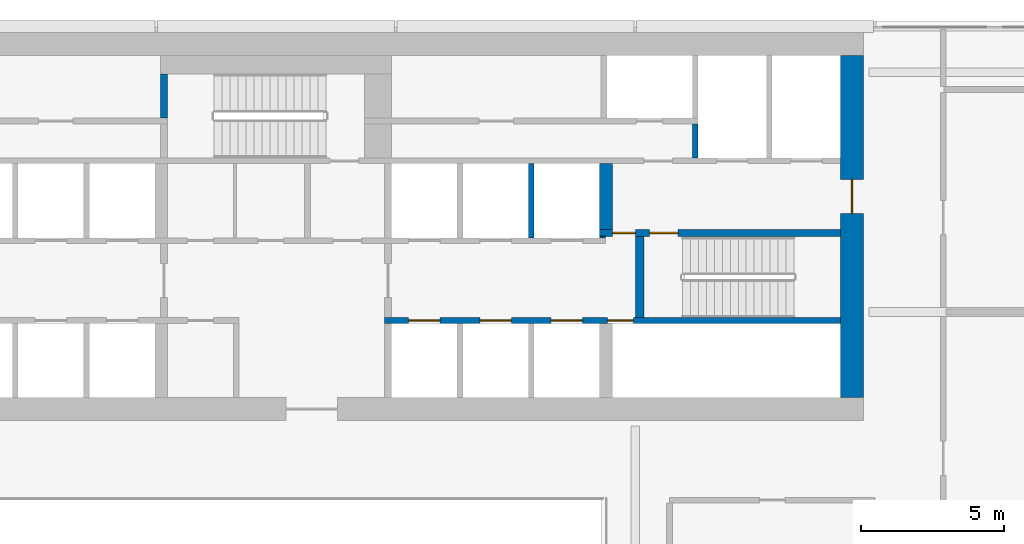
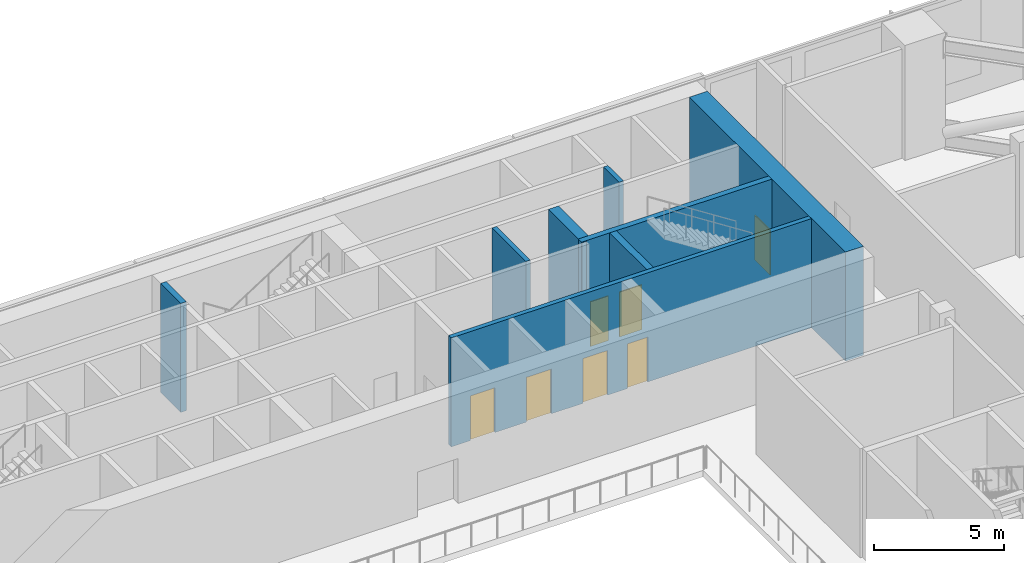
# One storey, part 16 of 29: 9 walls, 7 doors, 7 openings.
"""IFC4 building model written with IfcOpenShell, lengths in metres."""

from ifc_helpers import new_model, si_unit, direction, frame, frame_2d, origin, place, context, subcontext, project, spatial, rectangle, extrude, material, layer, layer_set, type_object, element, fill, save


model = new_model("IFC4")

# Units and contexts
model_context = context("Model", 3, precision=1e-05, world=origin(), true_north=direction((0.0, 1.0)))
body_context = subcontext(model_context, "Body", "Model", "MODEL_VIEW")
ifc_project = project(units=[si_unit("LENGTHUNIT", "METRE"), si_unit("AREAUNIT", "SQUARE_METRE"), si_unit("VOLUMEUNIT", "CUBIC_METRE"), si_unit("PLANEANGLEUNIT", "RADIAN"), si_unit("MASSUNIT", "GRAM", prefix="KILO")], contexts=[model_context])

# Site, building, storey
site_placement = place(None, origin())
site = spatial("IfcSite", under=ifc_project, at=site_placement, CompositionType="ELEMENT")
building_placement = place(site_placement, origin())
building = spatial("IfcBuilding", under=site, at=building_placement, Name="Saffron Gate Tower", CompositionType="ELEMENT")
storey_placement = place(building_placement, frame((0.0, 0.0, 142.050048828125)))
storey = spatial("IfcBuildingStorey", under=building, at=storey_placement, Name="L34", CompositionType="ELEMENT", Elevation=142.050048828125)

# Wall, opening, door
ifc_material_1 = material(Name="Concrete C60", Category="concrete")
ifc_layer_1 = layer(ifc_material_1, 0.800048828125)
ifc_layer_set_1 = layer_set([ifc_layer_1], Name="CW13 RC core wall 800 C60")
wall_type_1 = type_object("IfcWallType", Name="CW13 RC core wall 800 C60", PredefinedType="SOLIDWALL", material=ifc_layer_set_1)
wall_1_placement = place(storey_placement, frame((107.800048828125, 62.39990234375, 0.0), z_axis=(0.0, 0.0, 1.0), x_axis=(0.0, 1.0, 0.0)))
wall_1 = element("IfcWall", 1, at=wall_1_placement, inside=storey, type_object=wall_type_1, Name="Wall CW13-L34-4", PredefinedType="SOLIDWALL", context=body_context, shape_type="SweptSolid", body=[
    extrude(rectangle(XDim=12.0, YDim=0.800048828125, at=frame_2d((6.0, 0.0))), origin(), (0.0, 0.0, 1.0), 5.119873046875),
])
opening_1_placement = place(wall_1_placement, frame((6.449951171875, 0.0, 0.0)))
opening_1 = element("IfcOpeningElement", 2, at=opening_1_placement, cuts=wall_1, Name="Opening CR-08", PredefinedType="OPENING", context=body_context, shape_type="SweptSolid", body=[
    extrude(rectangle(XDim=1.199951171875, YDim=2.10009765625, at=frame_2d((0.60009765625, 1.050048828125))), frame((0.0, 0.41015625, 0.0), z_axis=(0.0, -1.0, 0.0), x_axis=(1.0, 0.0, 0.0)), (0.0, 0.0, 1.0), 0.820068359375),
])
ifc_material_2 = material(Name="Steel fire door set", Category="steel")
door_type_1 = type_object("IfcDoorType", Name="CD7 Core entrance door 1200x2100 EI 120", OperationType="NOTDEFINED", PredefinedType="DOOR", material=ifc_material_2)
door_1_placement = place(opening_1_placement, origin())
door_1 = element("IfcDoor", 3, at=door_1_placement, inside=storey, type_object=door_type_1, Name="DOOR CR-08", OperationType="SINGLE_SWING_RIGHT", OverallHeight=2.10009765625, OverallWidth=1.199951171875, PredefinedType="DOOR", context=body_context, shape_type="SweptSolid", body=[
    extrude(rectangle(XDim=1.199951171875, YDim=2.10009765625, at=frame_2d((0.60009765625, 1.050048828125))), frame((0.0, 0.02490234375, 0.0), z_axis=(0.0, -1.0, 0.0), x_axis=(1.0, 0.0, 0.0)), (0.0, 0.0, 1.0), 0.050048828125),
])
fill(opening_1, door_1)

# Wall, openings, doors
ifc_layer_2 = layer(ifc_material_1, 0.25)
ifc_layer_set_2 = layer_set([ifc_layer_2], Name="CW14 RC core wall 250 C60")
wall_type_2 = type_object("IfcWallType", Name="CW14 RC core wall 250 C60", PredefinedType="SOLIDWALL", material=ifc_layer_set_2)
wall_2_placement = place(storey_placement, frame((98.949951171875, 68.175048828125, 0.0), z_axis=(0.0, 0.0, 1.0), x_axis=(1.0, 0.0, 0.0)))
wall_2 = element("IfcWall", 4, at=wall_2_placement, inside=storey, type_object=wall_type_2, Name="Wall CW14-L34-31", PredefinedType="SOLIDWALL", context=body_context, shape_type="SweptSolid", body=[
    extrude(rectangle(XDim=8.449951171875, YDim=0.25, at=frame_2d((4.22509765625, 0.0))), origin(), (0.0, 0.0, 1.0), 5.119873046875),
])
opening_2_placement = place(wall_2_placement, frame((0.449951171875, 0.0, 0.0)))
opening_2 = element("IfcOpeningElement", 5, at=opening_2_placement, cuts=wall_2, Name="Opening CR-05", PredefinedType="OPENING", context=body_context, shape_type="SweptSolid", body=[
    extrude(rectangle(XDim=0.800048828125, YDim=2.10009765625, at=frame_2d((0.39990234375, 1.050048828125))), frame((0.0, 0.135009765625, 0.0), z_axis=(0.0, -1.0, 0.0), x_axis=(1.0, 0.0, 0.0)), (0.0, 0.0, 1.0), 0.27001953125),
])
opening_3_placement = place(wall_2_placement, frame((1.75, 0.0, 0.0)))
opening_3 = element("IfcOpeningElement", 6, at=opening_3_placement, cuts=wall_2, Name="Opening CR-16", PredefinedType="OPENING", context=body_context, shape_type="SweptSolid", body=[
    extrude(rectangle(XDim=1.0, YDim=2.10009765625, at=frame_2d((0.5, 1.050048828125))), frame((0.0, 0.135009765625, 0.0), z_axis=(0.0, -1.0, 0.0), x_axis=(1.0, 0.0, 0.0)), (0.0, 0.0, 1.0), 0.27001953125),
])
door_type_2 = type_object("IfcDoorType", Name="CD5 Stair door 1000x2100 EI 120", OperationType="NOTDEFINED", PredefinedType="DOOR", material=ifc_material_2)
door_2_placement = place(opening_3_placement, origin())
door_2 = element("IfcDoor", 7, at=door_2_placement, inside=storey, type_object=door_type_2, Name="DOOR CR-16", OperationType="SINGLE_SWING_RIGHT", OverallHeight=2.10009765625, OverallWidth=1.0, PredefinedType="DOOR", context=body_context, shape_type="SweptSolid", body=[
    extrude(rectangle(XDim=1.0, YDim=2.10009765625, at=frame_2d((0.5, 1.050048828125))), frame((0.0, 0.02490234375, 0.0), z_axis=(0.0, -1.0, 0.0), x_axis=(1.0, 0.0, 0.0)), (0.0, 0.0, 1.0), 0.050048828125),
])
fill(opening_3, door_2)
door_type_3 = type_object("IfcDoorType", Name="CD6 Lobby door 800x2100 EI 120", OperationType="NOTDEFINED", PredefinedType="DOOR", material=ifc_material_2)
door_3_placement = place(opening_2_placement, origin())
door_3 = element("IfcDoor", 8, at=door_3_placement, inside=storey, type_object=door_type_3, Name="DOOR CR-05", OperationType="SINGLE_SWING_LEFT", OverallHeight=2.10009765625, OverallWidth=0.800048828125, PredefinedType="DOOR", context=body_context, shape_type="SweptSolid", body=[
    extrude(rectangle(XDim=0.800048828125, YDim=2.10009765625, at=frame_2d((0.39990234375, 1.050048828125))), frame((0.0, 0.02490234375, 0.0), z_axis=(0.0, -1.0, 0.0), x_axis=(1.0, 0.0, 0.0)), (0.0, 0.0, 1.0), 0.050048828125),
])
fill(opening_2, door_3)

# Wall
wall_3_placement = place(storey_placement, frame((83.675048828125, 72.199951171875, 0.0), z_axis=(0.0, 0.0, 1.0), x_axis=(0.0, 1.0, 0.0)))
element("IfcWall", 9, at=wall_3_placement, inside=storey, type_object=wall_type_2, Name="Wall CW14-L34-45", PredefinedType="SOLIDWALL", context=body_context, shape_type="SweptSolid", body=[
    extrude(rectangle(XDim=1.550048828125, YDim=0.25, at=frame_2d((0.77490234375, 0.0))), origin(), (0.0, 0.0, 1.0), 5.119873046875),
])

# Wall, openings, doors
ifc_layer_3 = layer(ifc_material_1, 0.199951171875)
ifc_layer_set_3 = layer_set([ifc_layer_3], Name="CW15 RC core wall 200 C60")
wall_type_3 = type_object("IfcWallType", Name="CW15 RC core wall 200 C60", PredefinedType="SOLIDWALL", material=ifc_layer_set_3)
wall_4_placement = place(storey_placement, frame((91.39990234375, 65.10009765625, 0.0), z_axis=(0.0, 0.0, 1.0), x_axis=(1.0, 0.0, 0.0)))
wall_4 = element("IfcWall", 10, at=wall_4_placement, inside=storey, type_object=wall_type_3, Name="Wall CW15-L34-15", PredefinedType="SOLIDWALL", context=body_context, shape_type="SweptSolid", body=[
    extrude(rectangle(XDim=16.0, YDim=0.199951171875, at=frame_2d((8.0, 0.0))), origin(), (0.0, 0.0, 1.0), 5.119873046875),
])
opening_4_placement = place(wall_4_placement, frame((0.85009765625, 0.0, 0.0)))
opening_4 = element("IfcOpeningElement", 11, at=opening_4_placement, cuts=wall_4, Name="Opening LD-HR1", PredefinedType="OPENING", context=body_context, shape_type="SweptSolid", body=[
    extrude(rectangle(XDim=1.10009765625, YDim=2.10009765625, at=frame_2d((0.550048828125, 1.050048828125))), frame((0.0, 0.10986328125, 0.0), z_axis=(0.0, -1.0, 0.0), x_axis=(1.0, 0.0, 0.0)), (0.0, 0.0, 1.0), 0.219970703125),
])
opening_5_placement = place(wall_4_placement, frame((3.35009765625, 0.0, 0.0)))
opening_5 = element("IfcOpeningElement", 12, at=opening_5_placement, cuts=wall_4, Name="Opening LD-HR2", PredefinedType="OPENING", context=body_context, shape_type="SweptSolid", body=[
    extrude(rectangle(XDim=1.10009765625, YDim=2.10009765625, at=frame_2d((0.550048828125, 1.050048828125))), frame((0.0, 0.10986328125, 0.0), z_axis=(0.0, -1.0, 0.0), x_axis=(1.0, 0.0, 0.0)), (0.0, 0.0, 1.0), 0.219970703125),
])
opening_6_placement = place(wall_4_placement, frame((5.85009765625, 0.0, 0.0)))
opening_6 = element("IfcOpeningElement", 13, at=opening_6_placement, cuts=wall_4, Name="Opening LD-HR3", PredefinedType="OPENING", context=body_context, shape_type="SweptSolid", body=[
    extrude(rectangle(XDim=1.10009765625, YDim=2.10009765625, at=frame_2d((0.550048828125, 1.050048828125))), frame((0.0, 0.10986328125, 0.0), z_axis=(0.0, -1.0, 0.0), x_axis=(1.0, 0.0, 0.0)), (0.0, 0.0, 1.0), 0.219970703125),
])
opening_7_placement = place(wall_4_placement, frame((7.830078125, 0.0, 0.0)))
opening_7 = element("IfcOpeningElement", 14, at=opening_7_placement, cuts=wall_4, Name="Opening CR-48", PredefinedType="OPENING", context=body_context, shape_type="SweptSolid", body=[
    extrude(rectangle(XDim=0.89990234375, YDim=2.10009765625, at=frame_2d((0.449951171875, 1.050048828125))), frame((0.0, 0.10986328125, 0.0), z_axis=(0.0, -1.0, 0.0), x_axis=(1.0, 0.0, 0.0)), (0.0, 0.0, 1.0), 0.219970703125),
])
door_type_4 = type_object("IfcDoorType", Name="CD2 Riser door 900x2100 EI 60", OperationType="NOTDEFINED", PredefinedType="DOOR", material=ifc_material_2)
door_4_placement = place(opening_7_placement, origin())
door_4 = element("IfcDoor", 15, at=door_4_placement, inside=storey, type_object=door_type_4, Name="DOOR CR-48", OperationType="SINGLE_SWING_RIGHT", OverallHeight=2.10009765625, OverallWidth=0.89990234375, PredefinedType="DOOR", context=body_context, shape_type="SweptSolid", body=[
    extrude(rectangle(XDim=0.89990234375, YDim=2.10009765625, at=frame_2d((0.449951171875, 1.050048828125))), frame((0.0, 0.02490234375, 0.0), z_axis=(0.0, -1.0, 0.0), x_axis=(1.0, 0.0, 0.0)), (0.0, 0.0, 1.0), 0.050048828125),
])
fill(opening_7, door_4)
ifc_material_3 = material(Name="Stainless steel landing door", Category="steel")
door_type_5 = type_object("IfcDoorType", Name="LD Lift landing door 1100x2100 EI 120", OperationType="SLIDING_TO_LEFT", PredefinedType="DOOR", material=ifc_material_3)
door_5_placement = place(opening_4_placement, origin())
door_5 = element("IfcDoor", 16, at=door_5_placement, inside=storey, type_object=door_type_5, Name="LANDING DOOR LD-HR1", OperationType="SLIDING_TO_LEFT", OverallHeight=2.10009765625, OverallWidth=1.10009765625, PredefinedType="DOOR", context=body_context, shape_type="SweptSolid", body=[
    extrude(rectangle(XDim=1.10009765625, YDim=2.10009765625, at=frame_2d((0.550048828125, 1.050048828125))), frame((0.0, 0.02490234375, 0.0), z_axis=(0.0, -1.0, 0.0), x_axis=(1.0, 0.0, 0.0)), (0.0, 0.0, 1.0), 0.050048828125),
])
fill(opening_4, door_5)
door_6_placement = place(opening_5_placement, origin())
door_6 = element("IfcDoor", 17, at=door_6_placement, inside=storey, type_object=door_type_5, Name="LANDING DOOR LD-HR2", OperationType="SLIDING_TO_LEFT", OverallHeight=2.10009765625, OverallWidth=1.10009765625, PredefinedType="DOOR", context=body_context, shape_type="SweptSolid", body=[
    extrude(rectangle(XDim=1.10009765625, YDim=2.10009765625, at=frame_2d((0.550048828125, 1.050048828125))), frame((0.0, 0.02490234375, 0.0), z_axis=(0.0, -1.0, 0.0), x_axis=(1.0, 0.0, 0.0)), (0.0, 0.0, 1.0), 0.050048828125),
])
fill(opening_5, door_6)
door_7_placement = place(opening_6_placement, origin())
door_7 = element("IfcDoor", 18, at=door_7_placement, inside=storey, type_object=door_type_5, Name="LANDING DOOR LD-HR3", OperationType="SLIDING_TO_LEFT", OverallHeight=2.10009765625, OverallWidth=1.10009765625, PredefinedType="DOOR", context=body_context, shape_type="SweptSolid", body=[
    extrude(rectangle(XDim=1.10009765625, YDim=2.10009765625, at=frame_2d((0.550048828125, 1.050048828125))), frame((0.0, 0.02490234375, 0.0), z_axis=(0.0, -1.0, 0.0), x_axis=(1.0, 0.0, 0.0)), (0.0, 0.0, 1.0), 0.050048828125),
])
fill(opening_6, door_7)

# Walls
wall_5_placement = place(storey_placement, frame((96.550048828125, 68.0, 0.0), z_axis=(0.0, 0.0, 1.0), x_axis=(0.0, 1.0, 0.0)))
element("IfcWall", 19, at=wall_5_placement, inside=storey, type_object=wall_type_3, Name="Wall CW15-L34-28", PredefinedType="SOLIDWALL", context=body_context, shape_type="SweptSolid", body=[
    extrude(rectangle(XDim=2.60009765625, YDim=0.199951171875, at=frame_2d((1.300048828125, 0.0))), origin(), (0.0, 0.0, 1.0), 5.119873046875),
])
wall_6_placement = place(storey_placement, frame((102.300048828125, 70.800048828125, 0.0), z_axis=(0.0, 0.0, 1.0), x_axis=(0.0, 1.0, 0.0)))
element("IfcWall", 20, at=wall_6_placement, inside=storey, type_object=wall_type_3, Name="Wall CW15-L34-39", PredefinedType="SOLIDWALL", context=body_context, shape_type="SweptSolid", body=[
    extrude(rectangle(XDim=1.199951171875, YDim=0.199951171875, at=frame_2d((0.60009765625, 0.0))), origin(), (0.0, 0.0, 1.0), 5.119873046875),
])
ifc_layer_4 = layer(ifc_material_1, 0.449951171875)
ifc_layer_set_4 = layer_set([ifc_layer_4], Name="CW16 RC core wall 450 C60")
wall_type_4 = type_object("IfcWallType", Name="CW16 RC core wall 450 C60", PredefinedType="SOLIDWALL", material=ifc_layer_set_4)
wall_7_placement = place(storey_placement, frame((99.175048828125, 68.300048828125, 0.0), z_axis=(0.0, 0.0, 1.0), x_axis=(0.0, 1.0, 0.0)))
element("IfcWall", 21, at=wall_7_placement, inside=storey, type_object=wall_type_4, Name="Wall CW16-L34-33", PredefinedType="SOLIDWALL", context=body_context, shape_type="SweptSolid", body=[
    extrude(rectangle(XDim=2.300048828125, YDim=0.449951171875, at=frame_2d((1.14990234375, 0.0))), origin(), (0.0, 0.0, 1.0), 5.119873046875),
])
ifc_layer_5 = layer(ifc_material_1, 0.300048828125)
ifc_layer_set_5 = layer_set([ifc_layer_5], Name="CW17 RC core wall 300 C60")
wall_type_5 = type_object("IfcWallType", Name="CW17 RC core wall 300 C60", PredefinedType="SOLIDWALL", material=ifc_layer_set_5)
wall_8_placement = place(storey_placement, frame((100.35009765625, 65.199951171875, 0.0), z_axis=(0.0, 0.0, 1.0), x_axis=(0.0, 1.0, 0.0)))
element("IfcWall", 22, at=wall_8_placement, inside=storey, type_object=wall_type_5, Name="Wall CW17-L34-19", PredefinedType="SOLIDWALL", context=body_context, shape_type="SweptSolid", body=[
    extrude(rectangle(XDim=2.85009765625, YDim=0.300048828125, at=frame_2d((1.425048828125, 0.0))), origin(), (0.0, 0.0, 1.0), 5.119873046875),
])
ifc_layer_6 = layer(ifc_material_1, 0.050048828125)
ifc_layer_set_6 = layer_set([ifc_layer_6], Name="CW18 RC core wall 50 C60")
wall_type_6 = type_object("IfcWallType", Name="CW18 RC core wall 50 C60", PredefinedType="SOLIDWALL", material=ifc_layer_set_6)
wall_9_placement = place(storey_placement, frame((98.949951171875, 68.02490234375, 0.0), z_axis=(0.0, 0.0, 1.0), x_axis=(1.0, 0.0, 0.0)))
element("IfcWall", 23, at=wall_9_placement, inside=storey, type_object=wall_type_6, Name="Wall CW18-L34-29", PredefinedType="SOLIDWALL", context=body_context, shape_type="SweptSolid", body=[
    extrude(rectangle(XDim=0.199951171875, YDim=0.050048828125, at=frame_2d((0.10009765625, 0.0))), origin(), (0.0, 0.0, 1.0), 5.119873046875),
])

save(model, "model.ifc")
